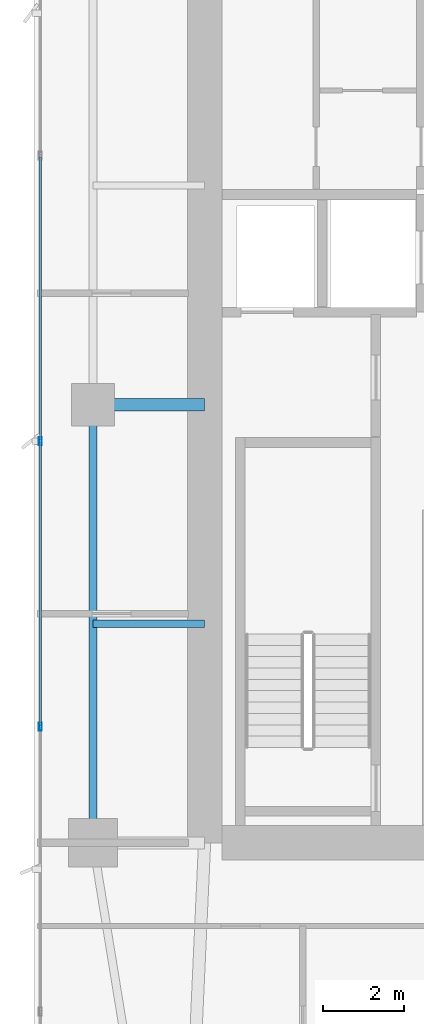
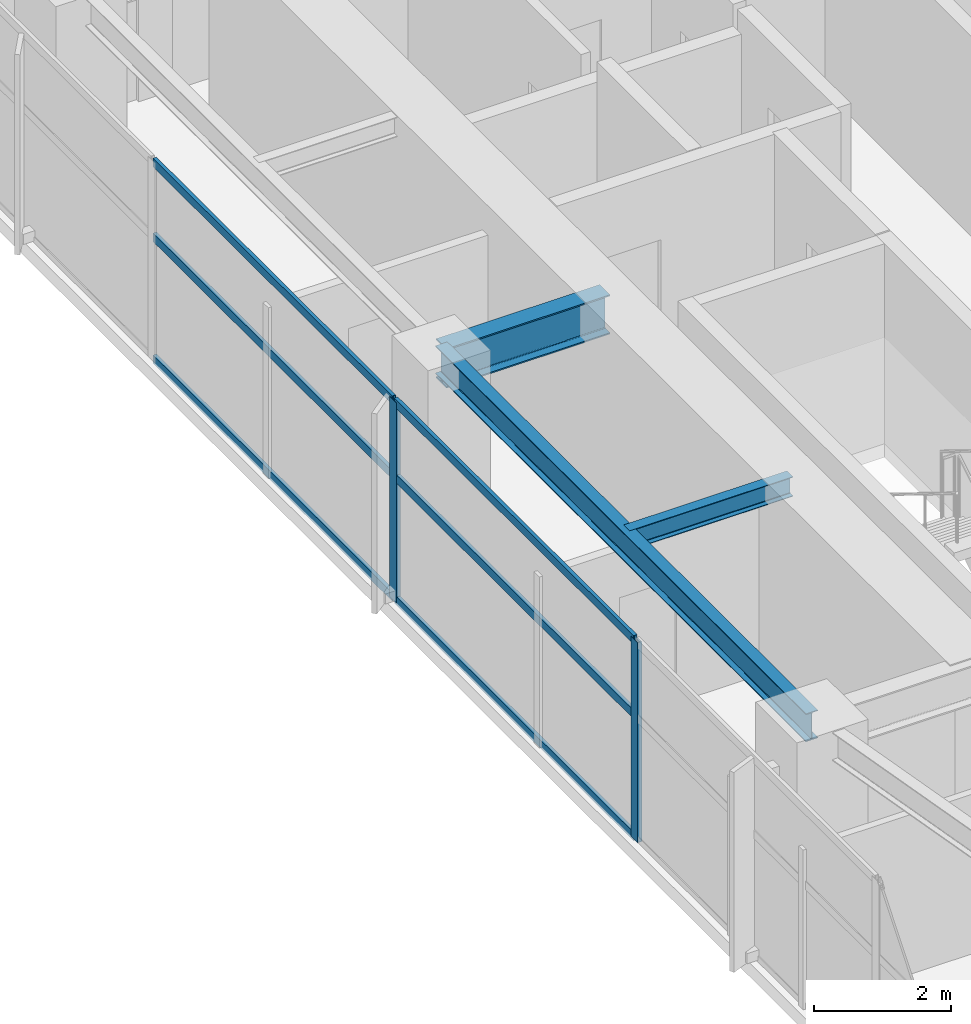
# One storey, part 8 of 29: 8 members, 3 beams, 1 element without a shape of its own.
"""IFC4 building model written with IfcOpenShell, lengths in metres."""

import ifcopenshell
import ifcopenshell.guid

model = None  # the IFC model being written
_history = None  # IfcOwnerHistory: only IFC2X3 demands one
_inside = {}  # id of a spatial element -> (the spatial element, [elements in it])
_under = {}  # id of a project, library or spatial element -> (it, [spatial elements below it])
_declared = {}  # id of a project -> (the project, [libraries it declares])
_typed = {}  # id of a type object -> (the type object, [elements of that type])
_made_of = {}  # id of a material, layer set ... -> (it, [elements and type objects made of it])


def new_model(schema):
    """Start an empty IFC model of exactly this schema.

    Asked for "IFC4X3", IfcOpenShell would pick the latest addendum, in which some entities
    have other attributes; the version numbers below select the first issue.
    IFC2X3 requires an IfcOwnerHistory on every rooted entity: one is made here for all.
    """
    global model, _history
    if schema == "IFC4X3":
        model = ifcopenshell.file(schema_version=(4, 3, 0, 0))
    else:
        model = ifcopenshell.file(schema=schema)
    _inside.clear()
    _under.clear()
    _declared.clear()
    _typed.clear()
    _made_of.clear()
    _history = None
    if model.schema == "IFC2X3":
        org = make("IfcOrganization", Name="unknown")
        user = make(
            "IfcPersonAndOrganization",
            ThePerson=make("IfcPerson", FamilyName="unknown"),
            TheOrganization=org,
        )
        app = make(
            "IfcApplication",
            ApplicationDeveloper=org,
            Version="unknown",
            ApplicationFullName="unknown",
            ApplicationIdentifier="unknown",
        )
        _history = make(
            "IfcOwnerHistory",
            OwningUser=user,
            OwningApplication=app,
            ChangeAction="ADDED",
            CreationDate=0,
        )
    return model


def make(cls, **values):
    """One entity of the class cls with the attributes given. An attribute that is None is left unset."""
    return model.create_entity(
        cls, **{name: value for name, value in values.items() if value is not None}
    )


def rooted(cls, **values):
    """An entity with a GlobalId (a new one), such as an element, a storey or a relation."""
    return make(cls, GlobalId=ifcopenshell.guid.new(), OwnerHistory=_history, **values)


def si_unit(unit_type, name, prefix=None):
    """IfcSIUnit, for example si_unit("LENGTHUNIT", "METRE", prefix="MILLI")."""
    return make("IfcSIUnit", UnitType=unit_type, Prefix=prefix, Name=name)


def assignment(units):
    """IfcUnitAssignment: the units of a project."""
    return None if units is None else make("IfcUnitAssignment", Units=units)


def point(xyz):
    """IfcCartesianPoint."""
    return None if xyz is None else make("IfcCartesianPoint", Coordinates=xyz)


def direction(xyz):
    """IfcDirection."""
    return None if xyz is None else make("IfcDirection", DirectionRatios=xyz)


def frame(location, z_axis=None, x_axis=None):
    """IfcAxis2Placement3D, a coordinate frame: its origin and axes. An axis left out is left unset."""
    return make(
        "IfcAxis2Placement3D",
        Location=point(location),
        Axis=direction(z_axis),
        RefDirection=direction(x_axis),
    )


def frame_2d(location, x_axis=None):
    """IfcAxis2Placement2D, a coordinate frame in the plane: its origin and x axis."""
    return make(
        "IfcAxis2Placement2D", Location=point(location), RefDirection=direction(x_axis)
    )


def origin():
    """The frame at (0, 0, 0) with its axes left unset."""
    return frame((0.0, 0.0, 0.0))


def origin_2d():
    """The frame at (0, 0) in the plane with its x axis left unset."""
    return frame_2d((0.0, 0.0))


def place(relative_to, where):
    """IfcLocalPlacement: puts the frame where relative to a parent placement (None: the world)."""
    return make(
        "IfcLocalPlacement", PlacementRelTo=relative_to, RelativePlacement=where
    )


def context(
    kind, dimensions, precision=None, world=None, true_north=None, identifier=None
):
    """IfcGeometricRepresentationContext, for example the 3D "Model" context."""
    return make(
        "IfcGeometricRepresentationContext",
        ContextIdentifier=identifier,
        ContextType=kind,
        CoordinateSpaceDimension=dimensions,
        Precision=precision,
        WorldCoordinateSystem=world,
        TrueNorth=true_north,
    )


def subcontext(parent, identifier, kind, view, scale=None):
    """IfcGeometricRepresentationSubContext, for example "Body" below "Model"."""
    return make(
        "IfcGeometricRepresentationSubContext",
        ContextIdentifier=identifier,
        ContextType=kind,
        ParentContext=parent,
        TargetScale=scale,
        TargetView=view,
    )


def project(units=None, contexts=None):
    """IfcProject with its units and contexts."""
    return rooted(
        "IfcProject",
        Name="project",
        RepresentationContexts=contexts,
        UnitsInContext=assignment(units),
    )


def spatial(cls, under=None, at=None, **own):
    """A site, building, storey or space (cls), placed at a placement, below another one or the project."""
    s = rooted(cls, ObjectPlacement=at, **own)
    if under is not None:
        _under.setdefault(under.id(), (under, []))[1].append(s)
    return s


def profile(cls, at=None, kind="AREA", **sizes):
    """A parametric profile (cls). Its sizes go by their IFC names, for example OverallWidth=200.0."""
    return make(cls, ProfileType=kind, Position=at, **sizes)


def hollow_rectangle(**sizes):
    """IfcRectangleHollowProfileDef."""
    return profile("IfcRectangleHollowProfileDef", **sizes)


def i_section(**sizes):
    """IfcIShapeProfileDef."""
    return profile("IfcIShapeProfileDef", **sizes)


def extrude(swept, where, along, depth):
    """IfcExtrudedAreaSolid: the profile swept, set in the frame where, extruded along a direction by depth."""
    return make(
        "IfcExtrudedAreaSolid",
        SweptArea=swept,
        Position=where,
        ExtrudedDirection=direction(along),
        Depth=depth,
    )


def shape(context_of_items, identifier, shape_type, items):
    """IfcShapeRepresentation: the items that make up one representation, for example the "Body"."""
    return make(
        "IfcShapeRepresentation",
        ContextOfItems=context_of_items,
        RepresentationIdentifier=identifier,
        RepresentationType=shape_type,
        Items=items,
    )


def material(Name=None, Category=None):
    """IfcMaterial."""
    return make("IfcMaterial", Name=Name, Category=Category)


def layer(
    of_material, thickness, ventilated=None, Name=None, Category=None, Priority=None
):
    """IfcMaterialLayer: one layer of a wall or slab, of a material (None: an air gap)."""
    return make(
        "IfcMaterialLayer",
        Material=of_material,
        LayerThickness=thickness,
        IsVentilated=ventilated,
        Name=Name,
        Category=Category,
        Priority=Priority,
    )


def layer_set(layers, Name=None):
    """IfcMaterialLayerSet."""
    return make("IfcMaterialLayerSet", MaterialLayers=layers, LayerSetName=Name)


def material_profile(
    of_material, cross_section, Name=None, Category=None, Priority=None
):
    """IfcMaterialProfile: a cross section and its material."""
    return make(
        "IfcMaterialProfile",
        Name=Name,
        Material=of_material,
        Profile=cross_section,
        Priority=Priority,
        Category=Category,
    )


def profile_set(profiles, Name=None, composite=None):
    """IfcMaterialProfileSet."""
    return make(
        "IfcMaterialProfileSet",
        Name=Name,
        MaterialProfiles=profiles,
        CompositeProfile=composite,
    )


def made_of(thing, what):
    """Note that an element or type object is made of a material, layer set ...; save() writes the relation."""
    if what is not None:
        _made_of.setdefault(what.id(), (what, []))[1].append(thing)
    return thing


def type_object(cls, material=None, **own):
    """A type object (cls), such as IfcWallType, which elements share."""
    return made_of(rooted(cls, **own), material)


def element(
    cls,
    number,
    at=None,
    inside=None,
    cuts=None,
    type_object=None,
    material=None,
    context=None,
    identifier="Body",
    shape_type=None,
    held_by="IfcProductDefinitionShape",
    body=None,
    shapes=None,
    **own,
):
    """One element of the class cls, such as IfcWall. Its Tag is "e" and its number.

    at: its placement. inside: the storey or other place that contains it. cuts: it is an
    opening in that element (IfcRelVoidsElement). A single representation is given by context,
    identifier, shape_type and body (its items); several are given by shapes. held_by: the class
    of the entity that holds the representations. save() writes the other relations.
    """
    e = rooted(cls, Tag="e%d" % number, ObjectPlacement=at, **own)
    if body is not None:
        shapes = [shape(context, identifier, shape_type, body)]
    if shapes is not None:
        e.Representation = make(held_by, Representations=shapes)
    if inside is not None:
        _inside.setdefault(inside.id(), (inside, []))[1].append(e)
    if cuts is not None:
        rooted(
            "IfcRelVoidsElement", RelatingBuildingElement=cuts, RelatedOpeningElement=e
        )
    if type_object is not None:
        _typed.setdefault(type_object.id(), (type_object, []))[1].append(e)
    return made_of(e, material)


def aggregate(whole, parts):
    """IfcRelAggregates: a whole, such as a stair, and the parts it consists of."""
    return rooted("IfcRelAggregates", RelatingObject=whole, RelatedObjects=parts)


def save(model, path):
    """Write the relations noted so far, then the file.

    IfcRelAggregates (storeys below a building ...), IfcRelContainedInSpatialStructure (elements
    in a storey), IfcRelDefinesByType, IfcRelAssociatesMaterial and IfcRelDeclares: one each for
    every whole, place, type object, material and project.
    """
    for whole, parts in _under.values():
        aggregate(whole, parts)
    for where, things in _inside.values():
        rooted(
            "IfcRelContainedInSpatialStructure",
            RelatedElements=things,
            RelatingStructure=where,
        )
    for kind, things in _typed.values():
        rooted("IfcRelDefinesByType", RelatedObjects=things, RelatingType=kind)
    for what, things in _made_of.values():
        rooted("IfcRelAssociatesMaterial", RelatedObjects=things, RelatingMaterial=what)
    for by, libraries in _declared.values():
        rooted("IfcRelDeclares", RelatingContext=by, RelatedDefinitions=libraries)
    model.write(path)


model = new_model("IFC4")

# Units and contexts
model_context = context("Model", 3, precision=1e-05, world=origin(), true_north=direction((0.0, 1.0)))
body_context = subcontext(model_context, "Body", "Model", "MODEL_VIEW")
ifc_project = project(units=[si_unit("LENGTHUNIT", "METRE"), si_unit("AREAUNIT", "SQUARE_METRE"), si_unit("VOLUMEUNIT", "CUBIC_METRE"), si_unit("PLANEANGLEUNIT", "RADIAN"), si_unit("MASSUNIT", "GRAM", prefix="KILO")], contexts=[model_context])

# Site, building, storey
site_placement = place(None, origin())
site = spatial("IfcSite", under=ifc_project, at=site_placement, CompositionType="ELEMENT")
building_placement = place(site_placement, origin())
building = spatial("IfcBuilding", under=site, at=building_placement, Name="Calvorn Quay Hotel", CompositionType="ELEMENT")
storey_placement = place(building_placement, frame((0.0, 0.0, 120.199951171875)))
storey = spatial("IfcBuildingStorey", under=building, at=storey_placement, Name="L29", CompositionType="ELEMENT", Elevation=120.199951171875)

# Beams
ifc_material_1 = material(Name="Steel Q390GJC", Category="steel")
ifc_material_profile_1 = material_profile(ifc_material_1, i_section(OverallWidth=0.300048828125, OverallDepth=0.699951171875, WebThickness=0.012939453125, FlangeThickness=0.02392578125, FilletRadius=0.02392578125, at=origin_2d()), Name="HN700x300x13x24")
ifc_profile_set_1 = profile_set([ifc_material_profile_1], Name="Steel Q390GJC")
beam_type_1 = type_object("IfcBeamType", Name="BM-GIRD-MAIN", PredefinedType="BEAM", material=ifc_profile_set_1)
beam_1_placement = place(storey_placement, frame((1.449951171875, 27.60009765625, 3.18994140625), z_axis=(1.0, 0.0, 0.0), x_axis=(0.0, 1.0, 0.0)))
element("IfcBeam", 1, at=beam_1_placement, inside=storey, type_object=beam_type_1, Name="Beam BG-L29-W2", PredefinedType="BEAM", context=body_context, shape_type="SweptSolid", body=[
    extrude(i_section(OverallWidth=0.300048828125, OverallDepth=0.699951171875, WebThickness=0.012939453125, FlangeThickness=0.02392578125, FilletRadius=0.02392578125, at=origin_2d()), origin(), (0.0, 0.0, 1.0), 2.75),
])
ifc_material_2 = material(Name="Steel Q355B", Category="steel")
ifc_material_profile_2 = material_profile(ifc_material_2, i_section(OverallWidth=0.175048828125, OverallDepth=0.35009765625, WebThickness=0.007080078125, FlangeThickness=0.010986328125, FilletRadius=0.013916015625, at=origin_2d()), Name="HN350x175x7x11")
ifc_profile_set_2 = profile_set([ifc_material_profile_2], Name="Steel Q355B")
beam_type_2 = type_object("IfcBeamType", Name="BM-JOIST-SEC", PredefinedType="JOIST", material=ifc_profile_set_2)
beam_2_placement = place(storey_placement, frame((1.449951171875, 22.199951171875, 3.364990234375), z_axis=(1.0, 0.0, 0.0), x_axis=(0.0, 1.0, 0.0)))
element("IfcBeam", 2, at=beam_2_placement, inside=storey, type_object=beam_type_2, Name="Beam BJ-L29-W3", PredefinedType="JOIST", context=body_context, shape_type="SweptSolid", body=[
    extrude(i_section(OverallWidth=0.175048828125, OverallDepth=0.35009765625, WebThickness=0.007080078125, FlangeThickness=0.010986328125, FilletRadius=0.013916015625, at=origin_2d()), origin(), (0.0, 0.0, 1.0), 2.75),
])
ifc_material_3 = material(Name="Steel Q355B", Category="steel")
ifc_material_profile_3 = material_profile(ifc_material_3, i_section(OverallWidth=0.199951171875, OverallDepth=0.5, WebThickness=0.010009765625, FlangeThickness=0.01611328125, FilletRadius=0.01611328125, at=origin_2d()), Name="HN500x200x10x16")
ifc_profile_set_3 = profile_set([ifc_material_profile_3], Name="Steel Q355B")
beam_type_3 = type_object("IfcBeamType", Name="BM-SPANDREL-Z1", PredefinedType="SPANDREL", material=ifc_profile_set_3)
beam_3_placement = place(storey_placement, frame((1.449951171875, 16.800048828125, 3.2900390625), z_axis=(0.0, 1.0, 0.0), x_axis=(-1.0, 0.0, 0.0)))
element("IfcBeam", 3, at=beam_3_placement, inside=storey, type_object=beam_type_3, Name="Beam BSP-L29-W2", PredefinedType="SPANDREL", context=body_context, shape_type="SweptSolid", body=[
    extrude(i_section(OverallWidth=0.199951171875, OverallDepth=0.5, WebThickness=0.010009765625, FlangeThickness=0.01611328125, FilletRadius=0.01611328125, at=origin_2d()), origin(), (0.0, 0.0, 1.0), 10.800048828125),
])

# Curtain wall, members
ifc_material_4 = material(Name="Pale Anodised Aluminium and Low-E Glass", Category="aluminium")
ifc_layer = layer(ifc_material_4, 0.219970703125)
ifc_layer_set = layer_set([ifc_layer], Name="CW-SYS-Z2")
curtain_wall_type = type_object("IfcCurtainWallType", Name="CW-SYS-Z2", PredefinedType="NOTDEFINED", material=ifc_layer_set)
curtain_wall_placement = place(storey_placement, origin())
curtain_wall = element("IfcCurtainWall", 4, at=curtain_wall_placement, inside=storey, type_object=curtain_wall_type, Name="Tower West Curtain Wall (L29)", PredefinedType="NOTDEFINED")
ifc_material_5 = material(Name="Pale Anodised Aluminium 6063-T6", Category="aluminium")
ifc_material_profile_4 = material_profile(ifc_material_5, hollow_rectangle(XDim=0.070068359375, YDim=0.199951171875, WallThickness=0.00390625, at=origin_2d()), Name="ALU-M200x70x4")
ifc_profile_set_4 = profile_set([ifc_material_profile_4], Name="Pale Anodised Aluminium 6063-T6")
member_type_1 = type_object("IfcMemberType", Name="CW-SYS-Z2-MUL", PredefinedType="MULLION", material=ifc_profile_set_4)
member_1_placement = place(storey_placement, frame((0.14990234375, 19.666748046875, 0.0), z_axis=(0.0, 0.0, 1.0), x_axis=(-1.0, 0.0, 0.0)))
member_1 = element("IfcMember", 5, at=member_1_placement, type_object=member_type_1, Name="CW-L29-W mullion 3", PredefinedType="MULLION", context=body_context, shape_type="SweptSolid", body=[
    extrude(hollow_rectangle(XDim=0.070068359375, YDim=0.199951171875, WallThickness=0.00390625, at=origin_2d()), origin(), (0.0, 0.0, 1.0), 3.56005859375),
])
member_2_placement = place(storey_placement, frame((0.14990234375, 26.699951171875, 0.0), z_axis=(0.0, 0.0, 1.0), x_axis=(-1.0, 0.0, 0.0)))
member_2 = element("IfcMember", 6, at=member_2_placement, type_object=member_type_1, Name="CW-L29-W mullion 4", PredefinedType="MULLION", context=body_context, shape_type="SweptSolid", body=[
    extrude(hollow_rectangle(XDim=0.070068359375, YDim=0.199951171875, WallThickness=0.00390625, at=origin_2d()), origin(), (0.0, 0.0, 1.0), 3.56005859375),
])
ifc_material_6 = material(Name="Pale Anodised Aluminium 6063-T6", Category="aluminium")
ifc_material_profile_5 = material_profile(ifc_material_6, hollow_rectangle(XDim=0.06005859375, YDim=0.14990234375, WallThickness=0.00341796875, at=origin_2d()), Name="ALU-T150x60x3.5")
ifc_profile_set_5 = profile_set([ifc_material_profile_5], Name="Pale Anodised Aluminium 6063-T6")
member_type_2 = type_object("IfcMemberType", Name="CW-SYS-Z2-TRN", PredefinedType="USERDEFINED", material=ifc_profile_set_5)
member_3_placement = place(storey_placement, frame((0.14990234375, 19.69677734375, 0.030029296875), z_axis=(0.0, 1.0, 0.0), x_axis=(-1.0, 0.0, 0.0)))
member_3 = element("IfcMember", 7, at=member_3_placement, type_object=member_type_2, Name="CW-L29-W transom 3.1", ObjectType="TRANSOM", PredefinedType="USERDEFINED", context=body_context, shape_type="SweptSolid", body=[
    extrude(hollow_rectangle(XDim=0.06005859375, YDim=0.14990234375, WallThickness=0.00341796875, at=origin_2d()), origin(), (0.0, 0.0, 1.0), 6.97314453125),
])
member_4_placement = place(storey_placement, frame((0.14990234375, 19.69677734375, 2.199951171875), z_axis=(0.0, 1.0, 0.0), x_axis=(-1.0, 0.0, 0.0)))
member_4 = element("IfcMember", 8, at=member_4_placement, type_object=member_type_2, Name="CW-L29-W transom 3.2", ObjectType="TRANSOM", PredefinedType="USERDEFINED", context=body_context, shape_type="SweptSolid", body=[
    extrude(hollow_rectangle(XDim=0.06005859375, YDim=0.14990234375, WallThickness=0.00341796875, at=origin_2d()), origin(), (0.0, 0.0, 1.0), 6.97314453125),
])
member_5_placement = place(storey_placement, frame((0.14990234375, 19.69677734375, 3.530029296875), z_axis=(0.0, 1.0, 0.0), x_axis=(-1.0, 0.0, 0.0)))
member_5 = element("IfcMember", 9, at=member_5_placement, type_object=member_type_2, Name="CW-L29-W transom 3.3", ObjectType="TRANSOM", PredefinedType="USERDEFINED", context=body_context, shape_type="SweptSolid", body=[
    extrude(hollow_rectangle(XDim=0.06005859375, YDim=0.14990234375, WallThickness=0.00341796875, at=origin_2d()), origin(), (0.0, 0.0, 1.0), 6.97314453125),
])
member_6_placement = place(storey_placement, frame((0.14990234375, 26.72998046875, 0.030029296875), z_axis=(0.0, 1.0, 0.0), x_axis=(-1.0, 0.0, 0.0)))
member_6 = element("IfcMember", 10, at=member_6_placement, type_object=member_type_2, Name="CW-L29-W transom 4.1", ObjectType="TRANSOM", PredefinedType="USERDEFINED", context=body_context, shape_type="SweptSolid", body=[
    extrude(hollow_rectangle(XDim=0.06005859375, YDim=0.14990234375, WallThickness=0.00341796875, at=origin_2d()), origin(), (0.0, 0.0, 1.0), 6.973388671875),
])
member_7_placement = place(storey_placement, frame((0.14990234375, 26.72998046875, 2.199951171875), z_axis=(0.0, 1.0, 0.0), x_axis=(-1.0, 0.0, 0.0)))
member_7 = element("IfcMember", 11, at=member_7_placement, type_object=member_type_2, Name="CW-L29-W transom 4.2", ObjectType="TRANSOM", PredefinedType="USERDEFINED", context=body_context, shape_type="SweptSolid", body=[
    extrude(hollow_rectangle(XDim=0.06005859375, YDim=0.14990234375, WallThickness=0.00341796875, at=origin_2d()), origin(), (0.0, 0.0, 1.0), 6.973388671875),
])
member_8_placement = place(storey_placement, frame((0.14990234375, 26.72998046875, 3.530029296875), z_axis=(0.0, 1.0, 0.0), x_axis=(-1.0, 0.0, 0.0)))
member_8 = element("IfcMember", 12, at=member_8_placement, type_object=member_type_2, Name="CW-L29-W transom 4.3", ObjectType="TRANSOM", PredefinedType="USERDEFINED", context=body_context, shape_type="SweptSolid", body=[
    extrude(hollow_rectangle(XDim=0.06005859375, YDim=0.14990234375, WallThickness=0.00341796875, at=origin_2d()), origin(), (0.0, 0.0, 1.0), 6.973388671875),
])
aggregate(curtain_wall, [member_1, member_2, member_3, member_4, member_5, member_6, member_7, member_8])

save(model, "model.ifc")
